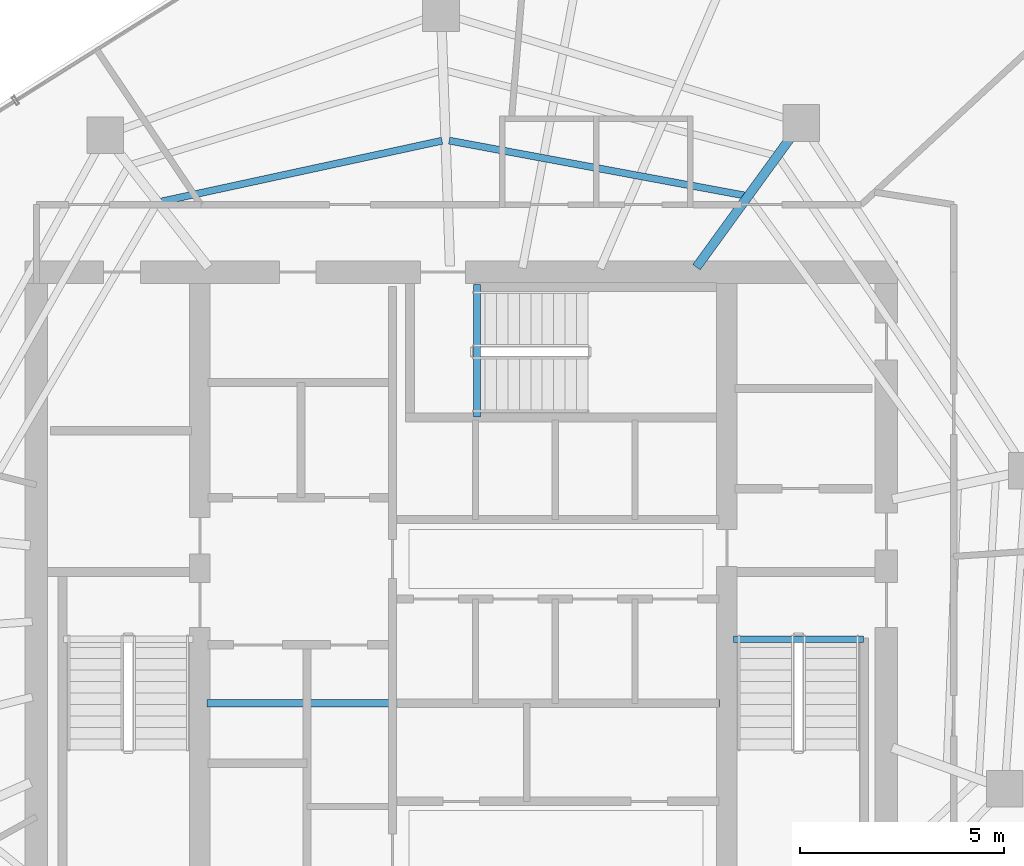
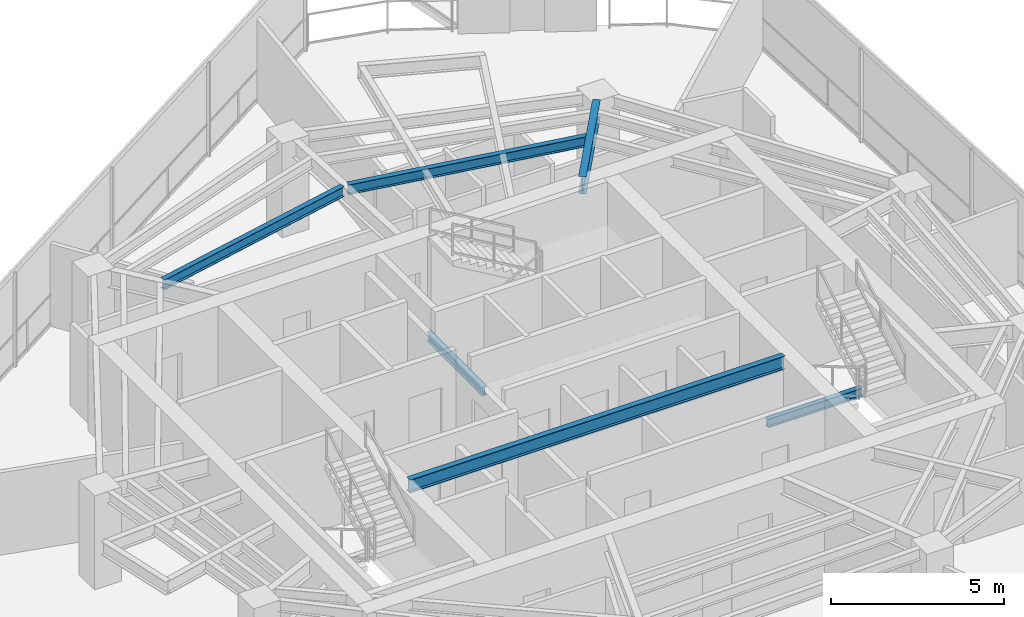
# One storey, part 6 of 19: 6 beams.
"""IFC4 building model written with IfcOpenShell, lengths in metres."""

import ifcopenshell
import ifcopenshell.guid

model = None  # the IFC model being written
_history = None  # IfcOwnerHistory: only IFC2X3 demands one
_inside = {}  # id of a spatial element -> (the spatial element, [elements in it])
_under = {}  # id of a project, library or spatial element -> (it, [spatial elements below it])
_declared = {}  # id of a project -> (the project, [libraries it declares])
_typed = {}  # id of a type object -> (the type object, [elements of that type])
_made_of = {}  # id of a material, layer set ... -> (it, [elements and type objects made of it])


def new_model(schema):
    """Start an empty IFC model of exactly this schema.

    Asked for "IFC4X3", IfcOpenShell would pick the latest addendum, in which some entities
    have other attributes; the version numbers below select the first issue.
    IFC2X3 requires an IfcOwnerHistory on every rooted entity: one is made here for all.
    """
    global model, _history
    if schema == "IFC4X3":
        model = ifcopenshell.file(schema_version=(4, 3, 0, 0))
    else:
        model = ifcopenshell.file(schema=schema)
    _inside.clear()
    _under.clear()
    _declared.clear()
    _typed.clear()
    _made_of.clear()
    _history = None
    if model.schema == "IFC2X3":
        org = make("IfcOrganization", Name="unknown")
        user = make(
            "IfcPersonAndOrganization",
            ThePerson=make("IfcPerson", FamilyName="unknown"),
            TheOrganization=org,
        )
        app = make(
            "IfcApplication",
            ApplicationDeveloper=org,
            Version="unknown",
            ApplicationFullName="unknown",
            ApplicationIdentifier="unknown",
        )
        _history = make(
            "IfcOwnerHistory",
            OwningUser=user,
            OwningApplication=app,
            ChangeAction="ADDED",
            CreationDate=0,
        )
    return model


def make(cls, **values):
    """One entity of the class cls with the attributes given. An attribute that is None is left unset."""
    return model.create_entity(
        cls, **{name: value for name, value in values.items() if value is not None}
    )


def rooted(cls, **values):
    """An entity with a GlobalId (a new one), such as an element, a storey or a relation."""
    return make(cls, GlobalId=ifcopenshell.guid.new(), OwnerHistory=_history, **values)


def si_unit(unit_type, name, prefix=None):
    """IfcSIUnit, for example si_unit("LENGTHUNIT", "METRE", prefix="MILLI")."""
    return make("IfcSIUnit", UnitType=unit_type, Prefix=prefix, Name=name)


def assignment(units):
    """IfcUnitAssignment: the units of a project."""
    return None if units is None else make("IfcUnitAssignment", Units=units)


def point(xyz):
    """IfcCartesianPoint."""
    return None if xyz is None else make("IfcCartesianPoint", Coordinates=xyz)


def direction(xyz):
    """IfcDirection."""
    return None if xyz is None else make("IfcDirection", DirectionRatios=xyz)


def frame(location, z_axis=None, x_axis=None):
    """IfcAxis2Placement3D, a coordinate frame: its origin and axes. An axis left out is left unset."""
    return make(
        "IfcAxis2Placement3D",
        Location=point(location),
        Axis=direction(z_axis),
        RefDirection=direction(x_axis),
    )


def frame_2d(location, x_axis=None):
    """IfcAxis2Placement2D, a coordinate frame in the plane: its origin and x axis."""
    return make(
        "IfcAxis2Placement2D", Location=point(location), RefDirection=direction(x_axis)
    )


def origin():
    """The frame at (0, 0, 0) with its axes left unset."""
    return frame((0.0, 0.0, 0.0))


def origin_2d():
    """The frame at (0, 0) in the plane with its x axis left unset."""
    return frame_2d((0.0, 0.0))


def place(relative_to, where):
    """IfcLocalPlacement: puts the frame where relative to a parent placement (None: the world)."""
    return make(
        "IfcLocalPlacement", PlacementRelTo=relative_to, RelativePlacement=where
    )


def context(
    kind, dimensions, precision=None, world=None, true_north=None, identifier=None
):
    """IfcGeometricRepresentationContext, for example the 3D "Model" context."""
    return make(
        "IfcGeometricRepresentationContext",
        ContextIdentifier=identifier,
        ContextType=kind,
        CoordinateSpaceDimension=dimensions,
        Precision=precision,
        WorldCoordinateSystem=world,
        TrueNorth=true_north,
    )


def subcontext(parent, identifier, kind, view, scale=None):
    """IfcGeometricRepresentationSubContext, for example "Body" below "Model"."""
    return make(
        "IfcGeometricRepresentationSubContext",
        ContextIdentifier=identifier,
        ContextType=kind,
        ParentContext=parent,
        TargetScale=scale,
        TargetView=view,
    )


def project(units=None, contexts=None):
    """IfcProject with its units and contexts."""
    return rooted(
        "IfcProject",
        Name="project",
        RepresentationContexts=contexts,
        UnitsInContext=assignment(units),
    )


def spatial(cls, under=None, at=None, **own):
    """A site, building, storey or space (cls), placed at a placement, below another one or the project."""
    s = rooted(cls, ObjectPlacement=at, **own)
    if under is not None:
        _under.setdefault(under.id(), (under, []))[1].append(s)
    return s


def profile(cls, at=None, kind="AREA", **sizes):
    """A parametric profile (cls). Its sizes go by their IFC names, for example OverallWidth=200.0."""
    return make(cls, ProfileType=kind, Position=at, **sizes)


def i_section(**sizes):
    """IfcIShapeProfileDef."""
    return profile("IfcIShapeProfileDef", **sizes)


def extrude(swept, where, along, depth):
    """IfcExtrudedAreaSolid: the profile swept, set in the frame where, extruded along a direction by depth."""
    return make(
        "IfcExtrudedAreaSolid",
        SweptArea=swept,
        Position=where,
        ExtrudedDirection=direction(along),
        Depth=depth,
    )


def shape(context_of_items, identifier, shape_type, items):
    """IfcShapeRepresentation: the items that make up one representation, for example the "Body"."""
    return make(
        "IfcShapeRepresentation",
        ContextOfItems=context_of_items,
        RepresentationIdentifier=identifier,
        RepresentationType=shape_type,
        Items=items,
    )


def material(Name=None, Category=None):
    """IfcMaterial."""
    return make("IfcMaterial", Name=Name, Category=Category)


def material_profile(
    of_material, cross_section, Name=None, Category=None, Priority=None
):
    """IfcMaterialProfile: a cross section and its material."""
    return make(
        "IfcMaterialProfile",
        Name=Name,
        Material=of_material,
        Profile=cross_section,
        Priority=Priority,
        Category=Category,
    )


def profile_set(profiles, Name=None, composite=None):
    """IfcMaterialProfileSet."""
    return make(
        "IfcMaterialProfileSet",
        Name=Name,
        MaterialProfiles=profiles,
        CompositeProfile=composite,
    )


def made_of(thing, what):
    """Note that an element or type object is made of a material, layer set ...; save() writes the relation."""
    if what is not None:
        _made_of.setdefault(what.id(), (what, []))[1].append(thing)
    return thing


def type_object(cls, material=None, **own):
    """A type object (cls), such as IfcWallType, which elements share."""
    return made_of(rooted(cls, **own), material)


def element(
    cls,
    number,
    at=None,
    inside=None,
    cuts=None,
    type_object=None,
    material=None,
    context=None,
    identifier="Body",
    shape_type=None,
    held_by="IfcProductDefinitionShape",
    body=None,
    shapes=None,
    **own,
):
    """One element of the class cls, such as IfcWall. Its Tag is "e" and its number.

    at: its placement. inside: the storey or other place that contains it. cuts: it is an
    opening in that element (IfcRelVoidsElement). A single representation is given by context,
    identifier, shape_type and body (its items); several are given by shapes. held_by: the class
    of the entity that holds the representations. save() writes the other relations.
    """
    e = rooted(cls, Tag="e%d" % number, ObjectPlacement=at, **own)
    if body is not None:
        shapes = [shape(context, identifier, shape_type, body)]
    if shapes is not None:
        e.Representation = make(held_by, Representations=shapes)
    if inside is not None:
        _inside.setdefault(inside.id(), (inside, []))[1].append(e)
    if cuts is not None:
        rooted(
            "IfcRelVoidsElement", RelatingBuildingElement=cuts, RelatedOpeningElement=e
        )
    if type_object is not None:
        _typed.setdefault(type_object.id(), (type_object, []))[1].append(e)
    return made_of(e, material)


def aggregate(whole, parts):
    """IfcRelAggregates: a whole, such as a stair, and the parts it consists of."""
    return rooted("IfcRelAggregates", RelatingObject=whole, RelatedObjects=parts)


def save(model, path):
    """Write the relations noted so far, then the file.

    IfcRelAggregates (storeys below a building ...), IfcRelContainedInSpatialStructure (elements
    in a storey), IfcRelDefinesByType, IfcRelAssociatesMaterial and IfcRelDeclares: one each for
    every whole, place, type object, material and project.
    """
    for whole, parts in _under.values():
        aggregate(whole, parts)
    for where, things in _inside.values():
        rooted(
            "IfcRelContainedInSpatialStructure",
            RelatedElements=things,
            RelatingStructure=where,
        )
    for kind, things in _typed.values():
        rooted("IfcRelDefinesByType", RelatedObjects=things, RelatingType=kind)
    for what, things in _made_of.values():
        rooted("IfcRelAssociatesMaterial", RelatedObjects=things, RelatingMaterial=what)
    for by, libraries in _declared.values():
        rooted("IfcRelDeclares", RelatingContext=by, RelatedDefinitions=libraries)
    model.write(path)


model = new_model("IFC4")

# Units and contexts
model_context = context("Model", 3, precision=1e-05, world=origin(), true_north=direction((0.0, 1.0)))
body_context = subcontext(model_context, "Body", "Model", "MODEL_VIEW")
ifc_project = project(units=[si_unit("LENGTHUNIT", "METRE"), si_unit("AREAUNIT", "SQUARE_METRE"), si_unit("VOLUMEUNIT", "CUBIC_METRE"), si_unit("PLANEANGLEUNIT", "RADIAN"), si_unit("MASSUNIT", "GRAM", prefix="KILO")], contexts=[model_context])

# Site, building, storey
site_placement = place(None, origin())
site = spatial("IfcSite", under=ifc_project, at=site_placement, CompositionType="ELEMENT")
building_placement = place(site_placement, origin())
building = spatial("IfcBuilding", under=site, at=building_placement, Name="Qarnah Convention Tower", CompositionType="ELEMENT")
storey_placement = place(building_placement, frame((0.0, 0.0, 187.800048828125)))
storey = spatial("IfcBuildingStorey", under=building, at=storey_placement, Name="L50", CompositionType="ELEMENT", Elevation=187.800048828125)

# Beams
ifc_material = material(Name="Structural steel S355JR", Category="steel")
ifc_material_profile_1 = material_profile(ifc_material, i_section(OverallWidth=0.19189453125, OverallDepth=0.464111328125, WebThickness=0.010986328125, FlangeThickness=0.01806640625, at=origin_2d()), Name="W460X89")
ifc_profile_set_1 = profile_set([ifc_material_profile_1], Name="Structural steel S355JR")
beam_type_1 = type_object("IfcBeamType", Name="BM-CANT-W460A", PredefinedType="BEAM", material=ifc_profile_set_1)
beam_1_placement = place(storey_placement, frame((30.97998046875, 23.64990234375, 3.087890625), z_axis=(1.0, 0.0, 0.0), x_axis=(0.0, 1.0, 0.0)))
element("IfcBeam", 1, at=beam_1_placement, inside=storey, type_object=beam_type_1, Name="L50 beam BM-L50-KC1", PredefinedType="BEAM", context=body_context, shape_type="SweptSolid", body=[
    extrude(i_section(OverallWidth=0.19189453125, OverallDepth=0.464111328125, WebThickness=0.010986328125, FlangeThickness=0.01806640625, at=origin_2d()), origin(), (0.0, 0.0, 1.0), 12.5400390625),
])
ifc_material_profile_2 = material_profile(ifc_material, i_section(OverallWidth=0.166015625, OverallDepth=0.31201171875, WebThickness=0.007080078125, FlangeThickness=0.010986328125, at=origin_2d()), Name="W310X45")
ifc_profile_set_2 = profile_set([ifc_material_profile_2], Name="Structural steel S355JR")
beam_type_2 = type_object("IfcBeamType", Name="BM-JST-W310", PredefinedType="JOIST", material=ifc_profile_set_2)
beam_2_placement = place(storey_placement, frame((43.860107421875, 25.217041015625, -0.156005859375), z_axis=(1.0, 0.0, 0.0), x_axis=(0.0, 1.0, 0.0)))
element("IfcBeam", 2, at=beam_2_placement, inside=storey, type_object=beam_type_2, Name="L50 stair landing trimmer beam BM-L50-ST2-TRM", PredefinedType="BEAM", context=body_context, shape_type="SweptSolid", body=[
    extrude(i_section(OverallWidth=0.166015625, OverallDepth=0.31201171875, WebThickness=0.007080078125, FlangeThickness=0.010986328125, at=origin_2d()), origin(), (0.0, 0.0, 1.0), 3.179931640625),
])
beam_3_placement = place(storey_placement, frame((37.5830078125, 30.659912109375, -0.156005859375), z_axis=(0.0, 1.0, 0.0), x_axis=(-1.0, 0.0, 0.0)))
element("IfcBeam", 3, at=beam_3_placement, inside=storey, type_object=beam_type_2, Name="L50 stair landing trimmer beam BM-L50-ST3-TRM", PredefinedType="BEAM", context=body_context, shape_type="SweptSolid", body=[
    extrude(i_section(OverallWidth=0.166015625, OverallDepth=0.31201171875, WebThickness=0.007080078125, FlangeThickness=0.010986328125, at=origin_2d()), origin(), (0.0, 0.0, 1.0), 3.239990234375),
])
ifc_material_profile_3 = material_profile(ifc_material, i_section(OverallWidth=0.172119140625, OverallDepth=0.35595703125, WebThickness=0.007080078125, FlangeThickness=0.011962890625, at=origin_2d()), Name="W360X51")
ifc_profile_set_3 = profile_set([ifc_material_profile_3], Name="Structural steel S355JR")
beam_type_3 = type_object("IfcBeamType", Name="BM-JST-W360", PredefinedType="JOIST", material=ifc_profile_set_3)
beam_4_placement = place(storey_placement, frame((44.1298828125, 36.075927734375, 3.141845703125), z_axis=(-0.983190695227, 0.182581644257, 0.0), x_axis=(-0.182581644257, -0.983190695227, 0.0)))
element("IfcBeam", 4, at=beam_4_placement, inside=storey, type_object=beam_type_3, Name="L50 joist BM-L50-IJST-02", PredefinedType="JOIST", context=body_context, shape_type="SweptSolid", body=[
    extrude(i_section(OverallWidth=0.172119140625, OverallDepth=0.35595703125, WebThickness=0.007080078125, FlangeThickness=0.011962890625, at=origin_2d()), origin(), (0.0, 0.0, 1.0), 7.350341796875),
])
beam_5_placement = place(storey_placement, frame((36.72705078125, 37.4150390625, 3.141845703125), z_axis=(-0.977325057223, -0.211744498215, 0.0), x_axis=(0.211744498215, -0.977325057223, 0.0)))
element("IfcBeam", 5, at=beam_5_placement, inside=storey, type_object=beam_type_3, Name="L50 joist BM-L50-IJST-03", PredefinedType="JOIST", context=body_context, shape_type="SweptSolid", body=[
    extrude(i_section(OverallWidth=0.172119140625, OverallDepth=0.35595703125, WebThickness=0.007080078125, FlangeThickness=0.011962890625, at=origin_2d()), origin(), (0.0, 0.0, 1.0), 7.027587890625),
])
ifc_material_profile_4 = material_profile(ifc_material, i_section(OverallWidth=0.22802734375, OverallDepth=0.60791015625, WebThickness=0.010986328125, FlangeThickness=0.01708984375, at=origin_2d()), Name="W610X113")
ifc_profile_set_4 = profile_set([ifc_material_profile_4], Name="Structural steel S355JR")
beam_type_4 = type_object("IfcBeamType", Name="BM-RAD-W610B", PredefinedType="BEAM", material=ifc_profile_set_4)
beam_6_placement = place(storey_placement, frame((42.955078125, 34.321044921875, 3.015869140625), z_axis=(0.587650613849, 0.809114797815, 0.0), x_axis=(-0.809114797815, 0.587650613849, 0.0)))
element("IfcBeam", 6, at=beam_6_placement, inside=storey, type_object=beam_type_4, Name="L50 beam BM-L50-RAD-02", PredefinedType="BEAM", context=body_context, shape_type="SweptSolid", body=[
    extrude(i_section(OverallWidth=0.22802734375, OverallDepth=0.60791015625, WebThickness=0.010986328125, FlangeThickness=0.01708984375, at=origin_2d()), origin(), (0.0, 0.0, 1.0), 3.928955078125),
])

save(model, "model.ifc")
